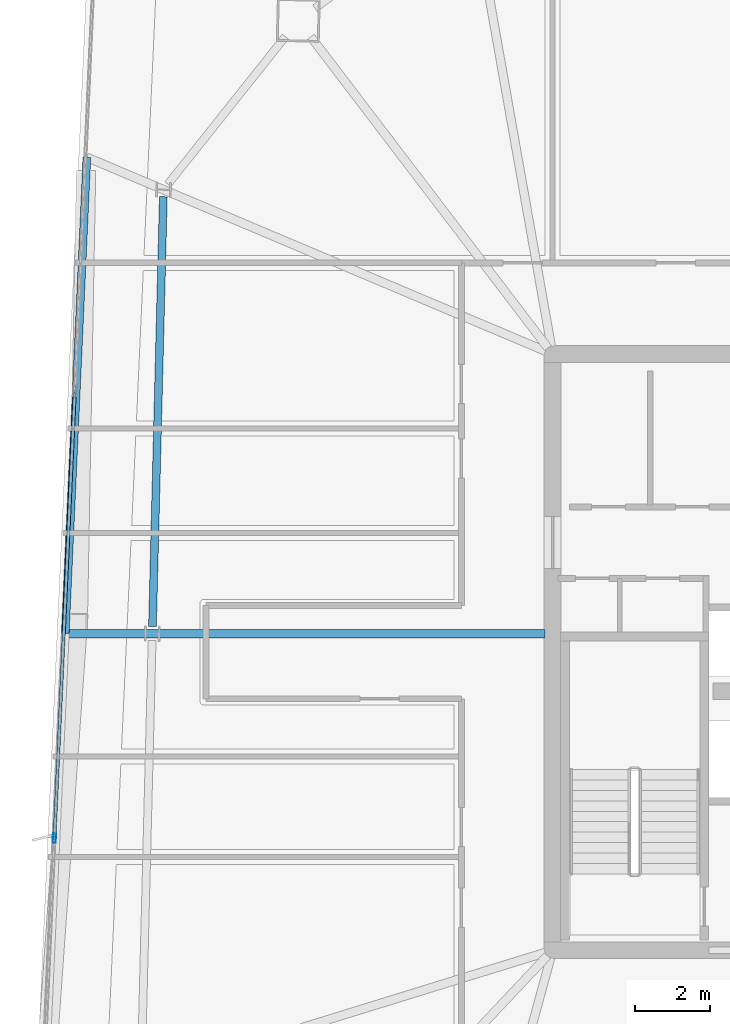
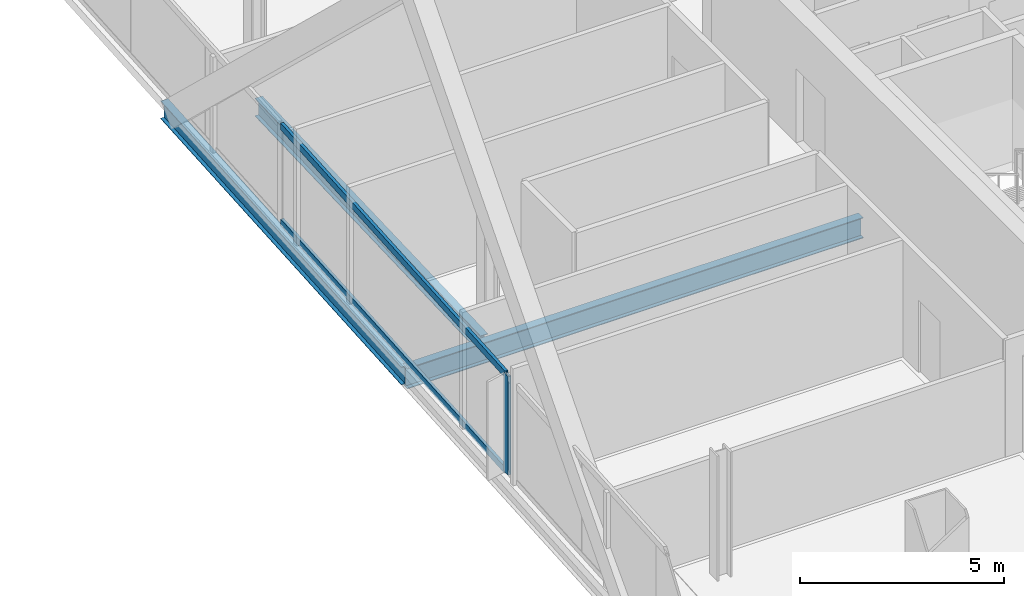
# One storey, part 6 of 26: 3 beams, 3 members, 1 element without a shape of its own.
"""IFC4 building model written with IfcOpenShell, lengths in metres."""

from ifc_helpers import new_model, si_unit, direction, frame, origin, origin_2d, place, context, subcontext, project, spatial, hollow_rectangle, i_section, extrude, material, material_profile, profile_set, type_object, element, aggregate, save


model = new_model("IFC4")

# Units and contexts
model_context = context("Model", 3, precision=1e-05, world=origin(), true_north=direction((0.0, 1.0)))
body_context = subcontext(model_context, "Body", "Model", "MODEL_VIEW")
ifc_project = project(units=[si_unit("LENGTHUNIT", "METRE"), si_unit("AREAUNIT", "SQUARE_METRE"), si_unit("VOLUMEUNIT", "CUBIC_METRE"), si_unit("PLANEANGLEUNIT", "RADIAN"), si_unit("MASSUNIT", "GRAM", prefix="KILO")], contexts=[model_context])

# Site, building, storey
site_placement = place(None, origin())
site = spatial("IfcSite", under=ifc_project, at=site_placement, CompositionType="ELEMENT")
building_placement = place(site_placement, origin())
building = spatial("IfcBuilding", under=site, at=building_placement, Name="Haldenkirk Collegiate Tower", CompositionType="ELEMENT")
storey_placement = place(building_placement, frame((0.0, 0.0, 321.449951171875)))
storey = spatial("IfcBuildingStorey", under=building, at=storey_placement, Name="L81", CompositionType="ELEMENT", Elevation=321.449951171875)

# Beams
ifc_material_1 = material(Name="Steel ASTM A992 Grade 50", Category="steel")
ifc_material_profile_1 = material_profile(ifc_material_1, i_section(OverallWidth=0.22998046875, OverallDepth=0.616943359375, WebThickness=0.01318359375, FlangeThickness=0.022216796875, at=origin_2d()), Name="W24X94")
ifc_profile_set_1 = profile_set([ifc_material_profile_1], Name="Steel ASTM A992 Grade 50")
beam_type_1 = type_object("IfcBeamType", Name="BM-GIRDER-W24X94", PredefinedType="BEAM", material=ifc_profile_set_1)
beam_1_placement = place(storey_placement, frame((13.919921875, 26.499755859375, -0.568359375), z_axis=(1.0, 0.0, 0.0), x_axis=(0.0, 1.0, 0.0)))
element("IfcBeam", 1, at=beam_1_placement, inside=storey, type_object=beam_type_1, Name="L81 primary floor girder 12", PredefinedType="BEAM", context=body_context, shape_type="SweptSolid", body=[
    extrude(i_section(OverallWidth=0.22998046875, OverallDepth=0.616943359375, WebThickness=0.01318359375, FlangeThickness=0.022216796875, at=origin_2d()), origin(), (0.0, 0.0, 1.0), 12.875),
])
ifc_material_profile_2 = material_profile(ifc_material_1, i_section(OverallWidth=0.2099609375, OverallDepth=0.537109375, WebThickness=0.010986328125, FlangeThickness=0.017333984375, at=origin_2d()), Name="W21X68")
ifc_profile_set_2 = profile_set([ifc_material_profile_2], Name="Steel ASTM A992 Grade 50")
beam_type_2 = type_object("IfcBeamType", Name="BM-SPANDREL-W21X68", PredefinedType="SPANDREL", material=ifc_profile_set_2)
beam_2_placement = place(storey_placement, frame((16.552978515625, 38.22412109375, -0.528564453125), z_axis=(-0.025302458902, -0.999679841536, 0.0), x_axis=(0.999679841536, -0.025302458902, 0.0)))
element("IfcBeam", 2, at=beam_2_placement, inside=storey, type_object=beam_type_2, Name="L81 perimeter spandrel beam 10", PredefinedType="SPANDREL", context=body_context, shape_type="SweptSolid", body=[
    extrude(i_section(OverallWidth=0.2099609375, OverallDepth=0.537109375, WebThickness=0.010986328125, FlangeThickness=0.017333984375, at=origin_2d()), origin(), (0.0, 0.0, 1.0), 11.5400390625),
])
beam_3_placement = place(storey_placement, frame((14.500244140625, 39.28125, -0.528564453125), z_axis=(-0.045356593406, -0.998970860153, 0.0), x_axis=(0.998970860153, -0.045356593406, 0.0)))
element("IfcBeam", 3, at=beam_3_placement, inside=storey, type_object=beam_type_2, Name="L81 outer facade edge beam 3A", PredefinedType="SPANDREL", context=body_context, shape_type="SweptSolid", body=[
    extrude(i_section(OverallWidth=0.2099609375, OverallDepth=0.537109375, WebThickness=0.010986328125, FlangeThickness=0.017333984375, at=origin_2d()), origin(), (0.0, 0.0, 1.0), 12.794677734375),
])

# Curtain wall, members
ifc_material_2 = material(Name="Anodised architectural bronze aluminium", Category="aluminium")
curtain_wall_type = type_object("IfcCurtainWallType", Name="CW-SYS1B-CONVEX-HI", PredefinedType="USERDEFINED", material=ifc_material_2)
curtain_wall_placement = place(storey_placement, origin())
curtain_wall = element("IfcCurtainWall", 4, at=curtain_wall_placement, inside=storey, type_object=curtain_wall_type, Name="L81 Upper tower high-wind convex bronze unitised curtain wall", ObjectType="UNITISED CURTAIN WALL", PredefinedType="USERDEFINED")
ifc_material_profile_3 = material_profile(ifc_material_2, hollow_rectangle(XDim=0.0849609375, YDim=0.25, WallThickness=0.0048828125, at=origin_2d()), Name="CW-MUL-1B")
ifc_profile_set_3 = profile_set([ifc_material_profile_3], Name="Anodised architectural bronze aluminium")
member_type_1 = type_object("IfcMemberType", Name="CW-MUL-1B", PredefinedType="MULLION", material=ifc_profile_set_3)
member_1_placement = place(storey_placement, frame((13.630615234375, 21.009521484375, 0.0), z_axis=(0.0, 0.0, 1.0), x_axis=(-0.998970520939, 0.045364063906, 0.0)))
member_1 = element("IfcMember", 5, at=member_1_placement, type_object=member_type_1, Name="CW-1B mullion 2", PredefinedType="MULLION", context=body_context, shape_type="SweptSolid", body=[
    extrude(hollow_rectangle(XDim=0.0849609375, YDim=0.25, WallThickness=0.0048828125, at=origin_2d()), origin(), (0.0, 0.0, 1.0), 2.947998046875),
])
ifc_material_profile_4 = material_profile(ifc_material_2, hollow_rectangle(XDim=0.0849609375, YDim=0.199951171875, WallThickness=0.0048828125, at=origin_2d()), Name="CW-TRN-1B")
ifc_profile_set_4 = profile_set([ifc_material_profile_4], Name="Anodised architectural bronze aluminium")
member_type_2 = type_object("IfcMemberType", Name="CW-TRN-1B", PredefinedType="USERDEFINED", material=ifc_profile_set_4)
member_2_placement = place(storey_placement, frame((13.632568359375, 21.052001953125, 0.04248046875), z_axis=(0.045364906442, 0.998970482679, 0.0), x_axis=(-0.998970482679, 0.045364906442, 0.0)))
member_2 = element("IfcMember", 6, at=member_2_placement, type_object=member_type_2, Name="CW-1B transom 2.1", ObjectType="TRANSOM", PredefinedType="USERDEFINED", context=body_context, shape_type="SweptSolid", body=[
    extrude(hollow_rectangle(XDim=0.0849609375, YDim=0.199951171875, WallThickness=0.0048828125, at=origin_2d()), origin(), (0.0, 0.0, 1.0), 11.9150390625),
])
member_3_placement = place(storey_placement, frame((13.632568359375, 21.052001953125, 2.905517578125), z_axis=(0.045364906442, 0.998970482679, 0.0), x_axis=(-0.998970482679, 0.045364906442, 0.0)))
member_3 = element("IfcMember", 7, at=member_3_placement, type_object=member_type_2, Name="CW-1B transom 2.2", ObjectType="TRANSOM", PredefinedType="USERDEFINED", context=body_context, shape_type="SweptSolid", body=[
    extrude(hollow_rectangle(XDim=0.0849609375, YDim=0.199951171875, WallThickness=0.0048828125, at=origin_2d()), origin(), (0.0, 0.0, 1.0), 11.9150390625),
])
aggregate(curtain_wall, [member_1, member_2, member_3])

save(model, "model.ifc")
